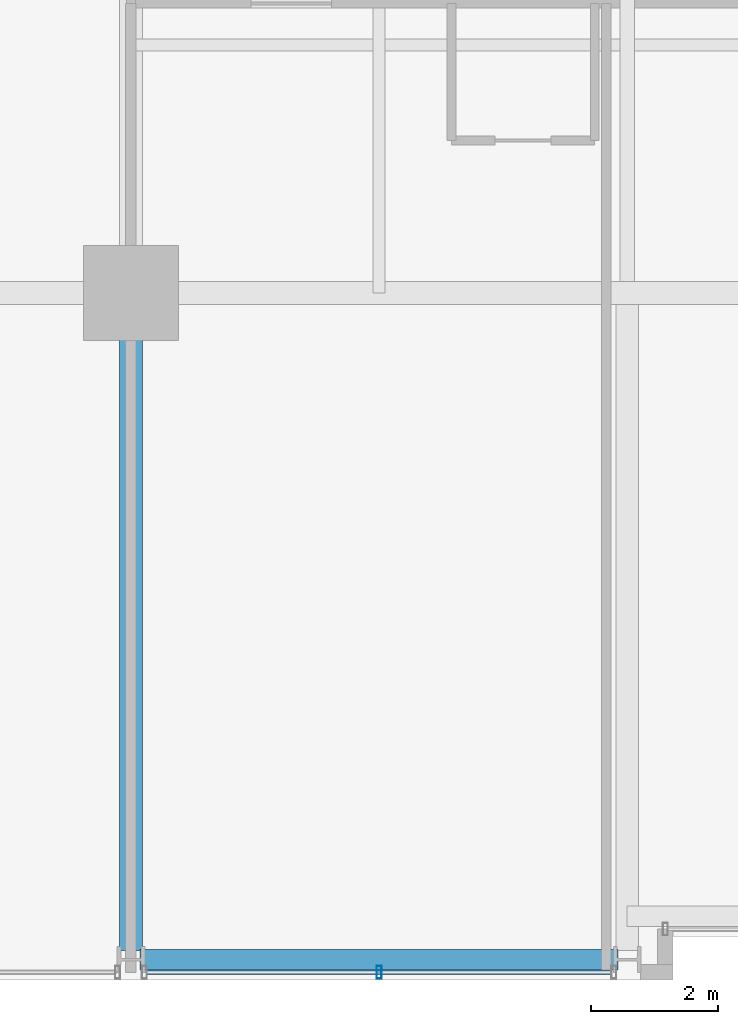
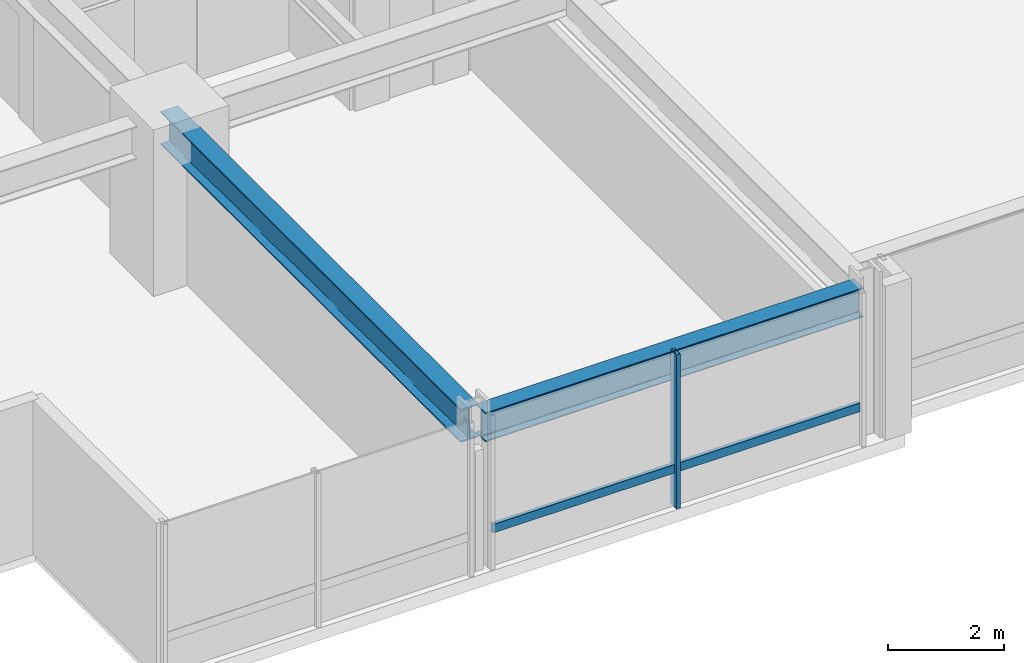
# One storey, part 3 of 35: 2 beams, 2 members, 1 element without a shape of its own.
"""IFC4 building model written with IfcOpenShell, lengths in metres."""

from ifc_helpers import new_model, si_unit, direction, frame, origin, origin_2d, place, context, subcontext, project, spatial, hollow_rectangle, i_section, extrude, material, layer, layer_set, material_profile, profile_set, type_object, element, aggregate, save


model = new_model("IFC4")

# Units and contexts
model_context = context("Model", 3, precision=1e-05, world=origin(), true_north=direction((0.0, 1.0)))
body_context = subcontext(model_context, "Body", "Model", "MODEL_VIEW")
ifc_project = project(units=[si_unit("LENGTHUNIT", "METRE"), si_unit("AREAUNIT", "SQUARE_METRE"), si_unit("VOLUMEUNIT", "CUBIC_METRE"), si_unit("PLANEANGLEUNIT", "RADIAN"), si_unit("MASSUNIT", "GRAM", prefix="KILO")], contexts=[model_context])

# Site, building, storey
site_placement = place(None, origin())
site = spatial("IfcSite", under=ifc_project, at=site_placement, CompositionType="ELEMENT")
building_placement = place(site_placement, origin())
building = spatial("IfcBuilding", under=site, at=building_placement, Name="Drelvath Grand Hotel", CompositionType="ELEMENT")
storey_placement = place(building_placement, frame((0.0, 0.0, 130.300048828125)))
storey = spatial("IfcBuildingStorey", under=building, at=storey_placement, Name="L33", CompositionType="ELEMENT", Elevation=130.300048828125)

# Curtain wall, members
ifc_material_1 = material(Name="Champagne Bronze Anodised Aluminium Frame", Category="aluminium")
ifc_layer = layer(ifc_material_1, 0.199951171875)
ifc_layer_set = layer_set([ifc_layer], Name="Champagne Bronze Anodised Aluminium Frame")
curtain_wall_type = type_object("IfcCurtainWallType", Name="Stick Curtain Wall CW-03 Champagne Bronze Mid-Rise", PredefinedType="NOTDEFINED", material=ifc_layer_set)
curtain_wall_placement = place(storey_placement, origin())
curtain_wall = element("IfcCurtainWall", 1, at=curtain_wall_placement, inside=storey, type_object=curtain_wall_type, Name="L33 CW-03 Curtain Wall CW03-L33-SW2", PredefinedType="NOTDEFINED")
ifc_material_profile_1 = material_profile(ifc_material_1, hollow_rectangle(XDim=0.074951171875, YDim=0.179931640625, WallThickness=0.0048828125, at=origin_2d()), Name="HSS180X75X5")
ifc_profile_set_1 = profile_set([ifc_material_profile_1], Name="Champagne Bronze Anodised Aluminium Frame")
member_type_1 = type_object("IfcMemberType", Name="Curtain Wall Horizontal Transom CW-03 HSS180X75X5", PredefinedType="USERDEFINED", material=ifc_profile_set_1)
member_1_placement = place(storey_placement, frame((-8.6494140625, 0.1201171875, 0.81005859375), z_axis=(-1.0, 0.0, 0.0), x_axis=(0.0, -1.0, 0.0)))
member_1 = element("IfcMember", 2, at=member_1_placement, type_object=member_type_1, Name="CW03-L33-SW2 Sill Transom", ObjectType="TRANSOM", PredefinedType="USERDEFINED", context=body_context, shape_type="SweptSolid", body=[
    extrude(hollow_rectangle(XDim=0.074951171875, YDim=0.179931640625, WallThickness=0.0048828125, at=origin_2d()), origin(), (0.0, 0.0, 1.0), 7.30126953125),
])
ifc_material_profile_2 = material_profile(ifc_material_1, hollow_rectangle(XDim=0.080078125, YDim=0.199951171875, WallThickness=0.0048828125, at=origin_2d()), Name="HSS200X80X5")
ifc_profile_set_2 = profile_set([ifc_material_profile_2], Name="Champagne Bronze Anodised Aluminium Frame")
member_type_2 = type_object("IfcMemberType", Name="Curtain Wall Vertical Mullion CW-03 HSS200X80X5", PredefinedType="MULLION", material=ifc_profile_set_2)
member_2_placement = place(storey_placement, frame((-12.300048828125, 0.1201171875, 0.0), z_axis=(0.0, 0.0, 1.0), x_axis=(1.0, 0.0, 0.0)))
member_2 = element("IfcMember", 3, at=member_2_placement, type_object=member_type_2, Name="CW03-L33-SW2 Mullion 2", PredefinedType="MULLION", context=body_context, shape_type="SweptSolid", body=[
    extrude(hollow_rectangle(XDim=0.080078125, YDim=0.199951171875, WallThickness=0.0048828125, at=origin_2d()), origin(), (0.0, 0.0, 1.0), 3.239990234375),
])
aggregate(curtain_wall, [member_2, member_1])

# Beams
ifc_material_2 = material(Name="Steel ASTM A992 Gr 50", Category="steel")
ifc_material_profile_3 = material_profile(ifc_material_2, i_section(OverallWidth=0.323974609375, OverallDepth=0.611083984375, WebThickness=0.0126953125, FlangeThickness=0.01904296875, FilletRadius=0.02197265625, at=origin_2d()), Name="W24X104")
ifc_profile_set_3 = profile_set([ifc_material_profile_3], Name="Steel ASTM A992 Gr 50")
beam_type_1 = type_object("IfcBeamType", Name="Perimeter Spandrel Beam W24X104", PredefinedType="SPANDREL", material=ifc_profile_set_3)
beam_1_placement = place(storey_placement, frame((-16.06005859375, 0.320068359375, 2.934326171875), z_axis=(1.0, 0.0, 0.0), x_axis=(0.0, 1.0, 0.0)))
element("IfcBeam", 4, at=beam_1_placement, inside=storey, type_object=beam_type_1, Name="L33 Spandrel South W", PredefinedType="SPANDREL", context=body_context, shape_type="SweptSolid", body=[
    extrude(i_section(OverallWidth=0.323974609375, OverallDepth=0.611083984375, WebThickness=0.0126953125, FlangeThickness=0.01904296875, FilletRadius=0.02197265625, at=origin_2d()), origin(), (0.0, 0.0, 1.0), 7.52001953125),
])
ifc_material_profile_4 = material_profile(ifc_material_2, i_section(OverallWidth=0.354736328125, OverallDepth=0.695556640625, WebThickness=0.015380859375, FlangeThickness=0.025146484375, FilletRadius=0.02392578125, at=origin_2d()), Name="W27X146")
ifc_profile_set_4 = profile_set([ifc_material_profile_4], Name="Steel ASTM A992 Gr 50")
beam_type_2 = type_object("IfcBeamType", Name="Primary Floor Girder W27X146", PredefinedType="BEAM", material=ifc_profile_set_4)
beam_2_placement = place(storey_placement, frame((-16.199951171875, 0.4599609375, 2.892333984375), z_axis=(0.0, 1.0, 0.0), x_axis=(-1.0, 0.0, 0.0)))
element("IfcBeam", 5, at=beam_2_placement, inside=storey, type_object=beam_type_2, Name="L33 South Grid Girder 3", PredefinedType="BEAM", context=body_context, shape_type="SweptSolid", body=[
    extrude(i_section(OverallWidth=0.354736328125, OverallDepth=0.695556640625, WebThickness=0.015380859375, FlangeThickness=0.025146484375, FilletRadius=0.02392578125, at=origin_2d()), origin(), (0.0, 0.0, 1.0), 10.340087890625),
])

save(model, "model.ifc")
